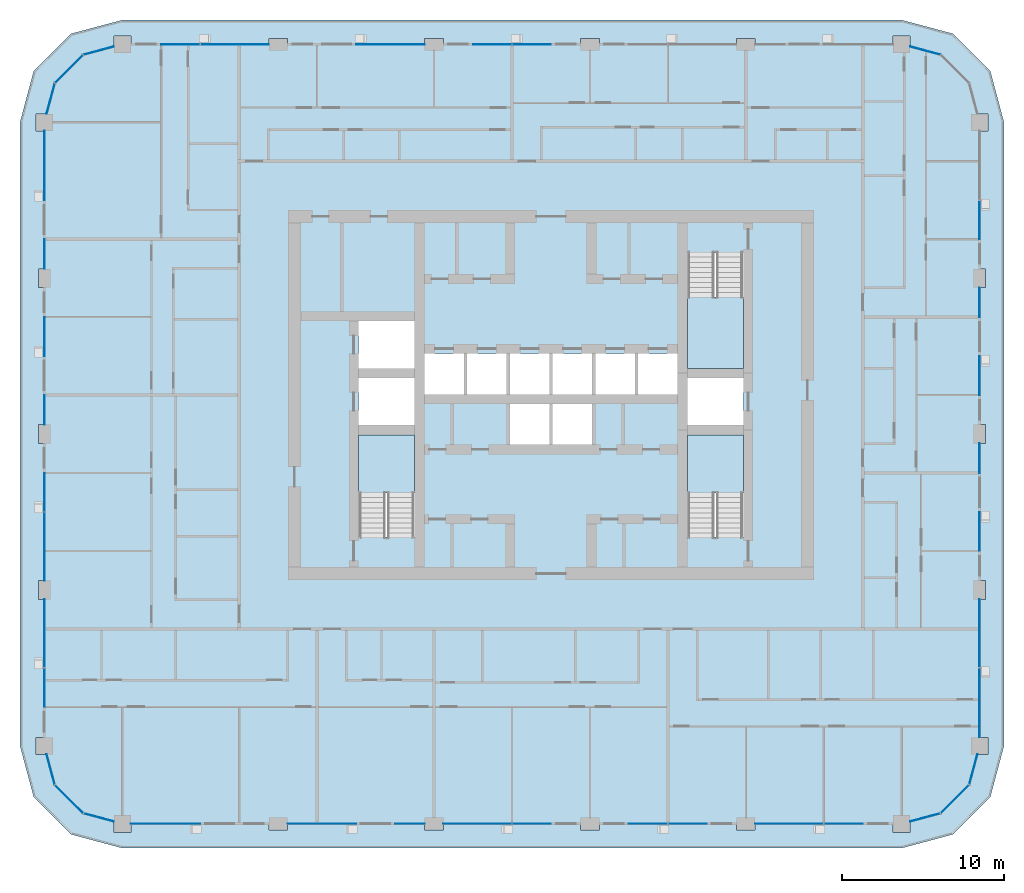
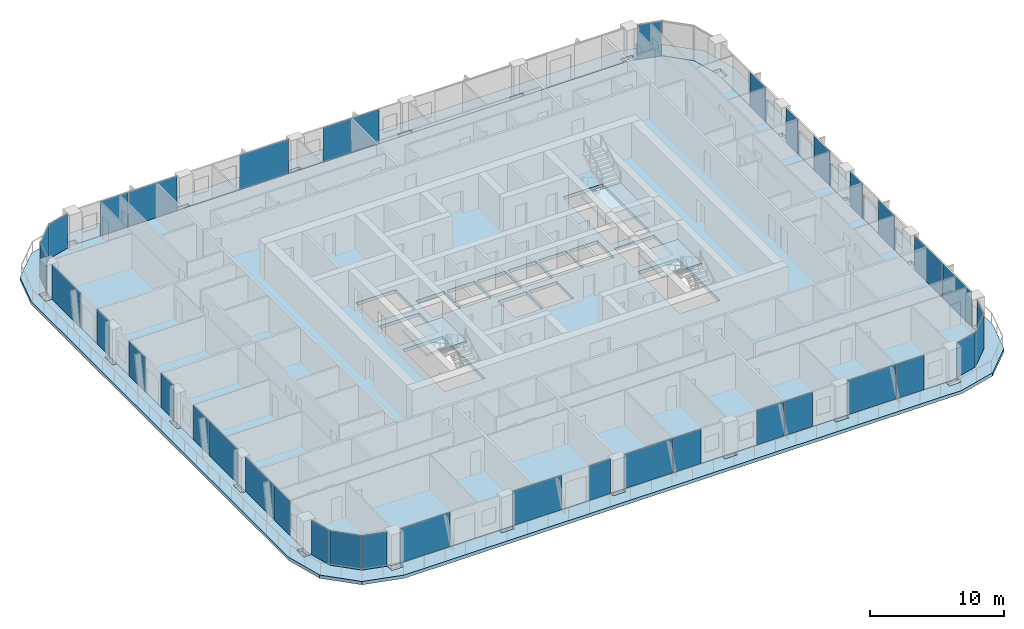
# One storey, part 7 of 22: 39 plates, 5 slabs, 23 elements without a shape of their own.
"""IFC4 building model written with IfcOpenShell, lengths in metres."""

from ifc_helpers import new_model, si_unit, direction, frame, origin, origin_2d, place, context, subcontext, project, spatial, polyline, rectangle, outline, extrude, material, layer, layer_set, type_object, element, aggregate, save


model = new_model("IFC4")

# Units and contexts
model_context = context("Model", 3, precision=1e-05, world=origin(), true_north=direction((0.0, 1.0)))
body_context = subcontext(model_context, "Body", "Model", "MODEL_VIEW")
ifc_project = project(units=[si_unit("LENGTHUNIT", "METRE"), si_unit("AREAUNIT", "SQUARE_METRE"), si_unit("VOLUMEUNIT", "CUBIC_METRE"), si_unit("PLANEANGLEUNIT", "RADIAN"), si_unit("MASSUNIT", "GRAM", prefix="KILO")], contexts=[model_context])

# Site, building, storey
site_placement = place(None, origin())
site = spatial("IfcSite", under=ifc_project, at=site_placement, CompositionType="ELEMENT")
building_placement = place(site_placement, origin())
building = spatial("IfcBuilding", under=site, at=building_placement, Name="Madar Terraces", CompositionType="ELEMENT")
storey_placement = place(building_placement, frame((0.0, 0.0, 166.5)))
storey = spatial("IfcBuildingStorey", under=building, at=storey_placement, Name="L43", CompositionType="ELEMENT", Elevation=166.5)

# Slabs
ifc_material_1 = material(Name="Concrete C50/60", Category="concrete")
ifc_layer_1 = layer(ifc_material_1, 0.300048828125)
ifc_layer_set_1 = layer_set([ifc_layer_1], Name="Balcony band 300")
slab_type_1 = type_object("IfcSlabType", Name="Balcony band 300", PredefinedType="FLOOR", material=ifc_layer_set_1)
slab_1_placement = place(storey_placement, frame((0.0, 0.0, -0.300048828125)))
element("IfcSlab", 1, at=slab_1_placement, inside=storey, type_object=slab_type_1, Name="Balcony band", PredefinedType="FLOOR", context=body_context, shape_type="SweptSolid", body=[
    extrude(outline(polyline([(4.800048828125, -1.5), (1.64990234375, -0.656005859375), (-0.656005859375, 1.64990234375), (-1.5, 4.800048828125), (-1.5, 43.199951171875), (-0.656005859375, 46.35009765625), (1.64990234375, 48.656005859375), (4.800048828125, 49.5), (52.800048828125, 49.5), (55.949951171875, 48.656005859375), (58.256103515625, 46.35009765625), (59.10009765625, 43.199951171875), (59.10009765625, 4.800048828125), (58.256103515625, 1.64990234375), (55.949951171875, -0.656005859375), (52.800048828125, -1.5), (4.800048828125, -1.5)]), holes=[polyline([(5.324951171875, -0.52490234375), (5.324951171875, 0.0), (13.824951171875, 0.0), (13.824951171875, -0.375), (14.97509765625, -0.375), (14.97509765625, 0.0), (23.425048828125, 0.0), (23.425048828125, -0.375), (24.574951171875, -0.375), (24.574951171875, 0.0), (33.02490234375, 0.0), (33.02490234375, -0.375), (34.175048828125, -0.375), (34.175048828125, 0.0), (42.625, 0.0), (42.625, -0.375), (43.77490234375, -0.375), (43.77490234375, 0.0), (52.27490234375, 0.0), (52.27490234375, -0.52490234375), (53.324951171875, -0.52490234375), (53.324951171875, 0.140625), (55.199951171875, 0.64306640625), (56.956787109375, 2.39990234375), (57.459228515625, 4.27490234375), (58.125, 4.27490234375), (58.125, 5.324951171875), (57.60009765625, 5.324951171875), (57.60009765625, 13.824951171875), (57.97509765625, 13.824951171875), (57.97509765625, 14.97509765625), (57.60009765625, 14.97509765625), (57.60009765625, 23.425048828125), (57.97509765625, 23.425048828125), (57.97509765625, 24.574951171875), (57.60009765625, 24.574951171875), (57.60009765625, 33.02490234375), (57.97509765625, 33.02490234375), (57.97509765625, 34.175048828125), (57.60009765625, 34.175048828125), (57.60009765625, 42.675048828125), (58.125, 42.675048828125), (58.125, 43.72509765625), (57.459228515625, 43.72509765625), (56.956787109375, 45.60009765625), (55.199951171875, 47.35693359375), (53.324951171875, 47.859375), (53.324951171875, 48.52490234375), (52.27490234375, 48.52490234375), (52.27490234375, 48.0), (43.77490234375, 48.0), (43.77490234375, 48.375), (42.625, 48.375), (42.625, 48.0), (34.175048828125, 48.0), (34.175048828125, 48.375), (33.02490234375, 48.375), (33.02490234375, 48.0), (24.574951171875, 48.0), (24.574951171875, 48.375), (23.425048828125, 48.375), (23.425048828125, 48.0), (14.97509765625, 48.0), (14.97509765625, 48.375), (13.824951171875, 48.375), (13.824951171875, 48.0), (5.324951171875, 48.0), (5.324951171875, 48.52490234375), (4.27490234375, 48.52490234375), (4.27490234375, 47.859375), (2.39990234375, 47.35693359375), (0.64306640625, 45.60009765625), (0.140625, 43.72509765625), (-0.52490234375, 43.72509765625), (-0.52490234375, 42.675048828125), (0.0, 42.675048828125), (0.0, 34.175048828125), (-0.375, 34.175048828125), (-0.375, 33.02490234375), (0.0, 33.02490234375), (0.0, 24.574951171875), (-0.375, 24.574951171875), (-0.375, 23.425048828125), (0.0, 23.425048828125), (0.0, 14.97509765625), (-0.375, 14.97509765625), (-0.375, 13.824951171875), (0.0, 13.824951171875), (0.0, 5.324951171875), (-0.52490234375, 5.324951171875), (-0.52490234375, 4.27490234375), (0.140625, 4.27490234375), (0.64306640625, 2.39990234375), (2.39990234375, 0.64306640625), (4.27490234375, 0.140625), (4.27490234375, -0.52490234375), (5.324951171875, -0.52490234375)])]), origin(), (0.0, 0.0, 1.0), 0.300048828125),
])
ifc_material_2 = material(Name="Concrete C50/60", Category="concrete")
ifc_layer_2 = layer(ifc_material_2, 0.300048828125)
ifc_layer_set_2 = layer_set([ifc_layer_2], Name="FS2 PT flat slab 300")
slab_type_2 = type_object("IfcSlabType", Name="FS2 PT flat slab 300", PredefinedType="FLOOR", material=ifc_layer_set_2)
slab_2_placement = place(storey_placement, frame((0.0, 0.0, -0.300048828125)))
element("IfcSlab", 2, at=slab_2_placement, inside=storey, type_object=slab_type_2, Name="Floor slab L43 (1)", PredefinedType="FLOOR", context=body_context, shape_type="SweptSolid", body=[
    extrude(outline(polyline([(52.800048828125, 0.0), (55.199951171875, 0.64306640625), (56.95703125, 2.39990234375), (57.60009765625, 4.800048828125), (57.60009765625, 43.199951171875), (56.95703125, 45.60009765625), (55.199951171875, 47.35693359375), (52.800048828125, 48.0), (4.800048828125, 48.0), (2.39990234375, 47.35693359375), (0.64306640625, 45.60009765625), (0.0, 43.199951171875), (0.0, 4.800048828125), (0.64306640625, 2.39990234375), (2.39990234375, 0.64306640625), (4.800048828125, 0.0), (52.800048828125, 0.0)]), holes=[polyline([(22.800048828125, 17.64990234375), (19.35009765625, 17.64990234375), (19.35009765625, 23.949951171875), (22.800048828125, 23.949951171875), (22.800048828125, 17.64990234375)]), polyline([(28.666748046875, 23.35009765625), (28.666748046875, 25.85009765625), (31.10009765625, 25.85009765625), (31.10009765625, 23.35009765625), (28.666748046875, 23.35009765625)]), polyline([(19.35009765625, 24.550048828125), (19.35009765625, 27.449951171875), (22.800048828125, 27.449951171875), (22.800048828125, 24.550048828125), (19.35009765625, 24.550048828125)]), polyline([(23.39990234375, 26.449951171875), (23.39990234375, 28.949951171875), (25.833251953125, 28.949951171875), (25.833251953125, 26.449951171875), (23.39990234375, 26.449951171875)]), polyline([(26.033447265625, 26.449951171875), (26.033447265625, 28.949951171875), (28.466552734375, 28.949951171875), (28.466552734375, 26.449951171875), (26.033447265625, 26.449951171875)]), polyline([(28.666748046875, 26.449951171875), (28.666748046875, 28.949951171875), (31.10009765625, 28.949951171875), (31.10009765625, 26.449951171875), (28.666748046875, 26.449951171875)]), polyline([(19.35009765625, 28.050048828125), (19.35009765625, 30.949951171875), (22.800048828125, 30.949951171875), (22.800048828125, 28.050048828125), (19.35009765625, 28.050048828125)]), polyline([(43.050048828125, 17.64990234375), (39.60009765625, 17.64990234375), (39.60009765625, 23.949951171875), (43.050048828125, 23.949951171875), (43.050048828125, 17.64990234375)]), polyline([(31.300048828125, 23.35009765625), (31.300048828125, 25.85009765625), (33.7333984375, 25.85009765625), (33.7333984375, 23.35009765625), (31.300048828125, 23.35009765625)]), polyline([(39.60009765625, 24.550048828125), (39.60009765625, 27.449951171875), (43.050048828125, 27.449951171875), (43.050048828125, 24.550048828125), (39.60009765625, 24.550048828125)]), polyline([(31.300048828125, 26.449951171875), (31.300048828125, 28.949951171875), (33.7333984375, 28.949951171875), (33.7333984375, 26.449951171875), (31.300048828125, 26.449951171875)]), polyline([(33.933349609375, 26.449951171875), (33.933349609375, 28.949951171875), (36.36669921875, 28.949951171875), (36.36669921875, 26.449951171875), (33.933349609375, 26.449951171875)]), polyline([(36.566650390625, 26.449951171875), (36.566650390625, 28.949951171875), (39.0, 28.949951171875), (39.0, 26.449951171875), (36.566650390625, 26.449951171875)]), polyline([(39.60009765625, 28.050048828125), (39.60009765625, 35.14990234375), (43.050048828125, 35.14990234375), (43.050048828125, 28.050048828125), (39.60009765625, 28.050048828125)])]), origin(), (0.0, 0.0, 1.0), 0.300048828125),
])

# Curtain wall, plate
ifc_material_3 = material(Name="Glass, ceramic frit dark grey, with black aluminium frame", Category="aluminium")
ifc_layer_3 = layer(ifc_material_3, 0.199951171875)
ifc_layer_set_3 = layer_set([ifc_layer_3], Name="Facade curtain wall, fritted glass")
curtain_wall_type = type_object("IfcCurtainWallType", Name="Facade curtain wall, fritted glass", PredefinedType="NOTDEFINED", material=ifc_layer_set_3)
curtain_wall_1_placement = place(storey_placement, origin())
curtain_wall_1 = element("IfcCurtainWall", 3, at=curtain_wall_1_placement, inside=storey, type_object=curtain_wall_type, Name="Outer skin curtain wall south bay 1", PredefinedType="NOTDEFINED")
ifc_material_4 = material(Name="Glass, ceramic frit dark grey", Category="glass")
ifc_layer_4 = layer(ifc_material_4, 0.028076171875)
ifc_layer_set_4 = layer_set([ifc_layer_4], Name="Facade glass panel 28")
plate_type = type_object("IfcPlateType", Name="Facade glass panel 28", PredefinedType="CURTAIN_PANEL", material=ifc_layer_set_4)
plate_1_placement = place(storey_placement, frame((7.46240234375, 0.0, 0.0), z_axis=(0.0, 0.0, 1.0), x_axis=(1.0, 0.0, 0.0)))
plate_1 = element("IfcPlate", 4, at=plate_1_placement, type_object=plate_type, Name="Panel 1", PredefinedType="CURTAIN_PANEL", context=body_context, shape_type="SweptSolid", body=[
    extrude(rectangle(XDim=4.27490234375, YDim=0.028076171875, at=origin_2d()), origin(), (0.0, 0.0, 1.0), 3.139892578125),
])
aggregate(curtain_wall_1, [plate_1])

# Curtain wall, plates
curtain_wall_2_placement = place(storey_placement, origin())
curtain_wall_2 = element("IfcCurtainWall", 5, at=curtain_wall_2_placement, inside=storey, type_object=curtain_wall_type, Name="Outer skin curtain wall south bay 2", PredefinedType="NOTDEFINED")
plate_2_placement = place(storey_placement, frame((17.08740234375, 0.0, 0.0), z_axis=(0.0, 0.0, 1.0), x_axis=(1.0, 0.0, 0.0)))
plate_2 = element("IfcPlate", 6, at=plate_2_placement, type_object=plate_type, Name="Panel 1", PredefinedType="CURTAIN_PANEL", context=body_context, shape_type="SweptSolid", body=[
    extrude(rectangle(XDim=4.22509765625, YDim=0.028076171875, at=origin_2d()), origin(), (0.0, 0.0, 1.0), 3.139892578125),
])
plate_3_placement = place(storey_placement, frame((22.512451171875, 0.0, 0.0), z_axis=(0.0, 0.0, 1.0), x_axis=(1.0, 0.0, 0.0)))
plate_3 = element("IfcPlate", 7, at=plate_3_placement, type_object=plate_type, Name="Panel 2", PredefinedType="CURTAIN_PANEL", context=body_context, shape_type="SweptSolid", body=[
    extrude(rectangle(XDim=1.824951171875, YDim=0.028076171875, at=origin_2d()), origin(), (0.0, 0.0, 1.0), 3.139892578125),
])
aggregate(curtain_wall_2, [plate_2, plate_3])

curtain_wall_3_placement = place(storey_placement, origin())
curtain_wall_3 = element("IfcCurtainWall", 8, at=curtain_wall_3_placement, inside=storey, type_object=curtain_wall_type, Name="Outer skin curtain wall south bay 3", PredefinedType="NOTDEFINED")
plate_4_placement = place(storey_placement, frame((26.672607421875, 0.0, 0.0), z_axis=(0.0, 0.0, 1.0), x_axis=(1.0, 0.0, 0.0)))
plate_4 = element("IfcPlate", 9, at=plate_4_placement, type_object=plate_type, Name="Panel 1", PredefinedType="CURTAIN_PANEL", context=body_context, shape_type="SweptSolid", body=[
    extrude(rectangle(XDim=4.195068359375, YDim=0.028076171875, at=origin_2d()), origin(), (0.0, 0.0, 1.0), 3.139892578125),
])
plate_5_placement = place(storey_placement, frame((30.014892578125, 0.0, 0.0), z_axis=(0.0, 0.0, 1.0), x_axis=(1.0, 0.0, 0.0)))
plate_5 = element("IfcPlate", 10, at=plate_5_placement, type_object=plate_type, Name="Panel 2", PredefinedType="CURTAIN_PANEL", context=body_context, shape_type="SweptSolid", body=[
    extrude(rectangle(XDim=2.3701171875, YDim=0.028076171875, at=origin_2d()), origin(), (0.0, 0.0, 1.0), 3.139892578125),
])
aggregate(curtain_wall_3, [plate_4, plate_5])

curtain_wall_4_placement = place(storey_placement, origin())
curtain_wall_4 = element("IfcCurtainWall", 11, at=curtain_wall_4_placement, inside=storey, type_object=curtain_wall_type, Name="Outer skin curtain wall south bay 4", PredefinedType="NOTDEFINED")
plate_6_placement = place(storey_placement, frame((37.18505859375, 0.0, 0.0), z_axis=(0.0, 0.0, 1.0), x_axis=(1.0, 0.0, 0.0)))
plate_6 = element("IfcPlate", 12, at=plate_6_placement, type_object=plate_type, Name="Panel 1", PredefinedType="CURTAIN_PANEL", context=body_context, shape_type="SweptSolid", body=[
    extrude(rectangle(XDim=2.3701171875, YDim=0.028076171875, at=origin_2d()), origin(), (0.0, 0.0, 1.0), 3.139892578125),
])
plate_7_placement = place(storey_placement, frame((39.614990234375, 0.0, 0.0), z_axis=(0.0, 0.0, 1.0), x_axis=(1.0, 0.0, 0.0)))
plate_7 = element("IfcPlate", 13, at=plate_7_placement, type_object=plate_type, Name="Panel 2", PredefinedType="CURTAIN_PANEL", context=body_context, shape_type="SweptSolid", body=[
    extrude(rectangle(XDim=2.3701171875, YDim=0.028076171875, at=origin_2d()), origin(), (0.0, 0.0, 1.0), 3.139892578125),
])
aggregate(curtain_wall_4, [plate_6, plate_7])

curtain_wall_5_placement = place(storey_placement, origin())
curtain_wall_5 = element("IfcCurtainWall", 14, at=curtain_wall_5_placement, inside=storey, type_object=curtain_wall_type, Name="Outer skin curtain wall south bay 5", PredefinedType="NOTDEFINED")
plate_8_placement = place(storey_placement, frame((45.87255859375, 0.0, 0.0), z_axis=(0.0, 0.0, 1.0), x_axis=(1.0, 0.0, 0.0)))
plate_8 = element("IfcPlate", 15, at=plate_8_placement, type_object=plate_type, Name="Panel 1", PredefinedType="CURTAIN_PANEL", context=body_context, shape_type="SweptSolid", body=[
    extrude(rectangle(XDim=4.195068359375, YDim=0.028076171875, at=origin_2d()), origin(), (0.0, 0.0, 1.0), 3.139892578125),
])
plate_9_placement = place(storey_placement, frame((49.215087890625, 0.0, 0.0), z_axis=(0.0, 0.0, 1.0), x_axis=(1.0, 0.0, 0.0)))
plate_9 = element("IfcPlate", 16, at=plate_9_placement, type_object=plate_type, Name="Panel 2", PredefinedType="CURTAIN_PANEL", context=body_context, shape_type="SweptSolid", body=[
    extrude(rectangle(XDim=2.3701171875, YDim=0.028076171875, at=origin_2d()), origin(), (0.0, 0.0, 1.0), 3.139892578125),
])
aggregate(curtain_wall_5, [plate_8, plate_9])

curtain_wall_6_placement = place(storey_placement, origin())
curtain_wall_6 = element("IfcCurtainWall", 17, at=curtain_wall_6_placement, inside=storey, type_object=curtain_wall_type, Name="Outer skin curtain wall east bay 1", PredefinedType="NOTDEFINED")
plate_10_placement = place(storey_placement, frame((57.60009765625, 7.447509765625, 0.0), z_axis=(0.0, 0.0, 1.0), x_axis=(0.0, 1.0, 0.0)))
plate_10 = element("IfcPlate", 18, at=plate_10_placement, type_object=plate_type, Name="Panel 1", PredefinedType="CURTAIN_PANEL", context=body_context, shape_type="SweptSolid", body=[
    extrude(rectangle(XDim=4.2451171875, YDim=0.028076171875, at=origin_2d()), origin(), (0.0, 0.0, 1.0), 3.139892578125),
])
plate_11_placement = place(storey_placement, frame((57.60009765625, 11.7275390625, 0.0), z_axis=(0.0, 0.0, 1.0), x_axis=(0.0, 1.0, 0.0)))
plate_11 = element("IfcPlate", 19, at=plate_11_placement, type_object=plate_type, Name="Panel 2", PredefinedType="CURTAIN_PANEL", context=body_context, shape_type="SweptSolid", body=[
    extrude(rectangle(XDim=4.195068359375, YDim=0.028076171875, at=origin_2d()), origin(), (0.0, 0.0, 1.0), 3.139892578125),
])
aggregate(curtain_wall_6, [plate_10, plate_11])

curtain_wall_7_placement = place(storey_placement, origin())
curtain_wall_7 = element("IfcCurtainWall", 20, at=curtain_wall_7_placement, inside=storey, type_object=curtain_wall_type, Name="Outer skin curtain wall east bay 2", PredefinedType="NOTDEFINED")
plate_12_placement = place(storey_placement, frame((57.60009765625, 18.0, 0.0), z_axis=(0.0, 0.0, 1.0), x_axis=(0.0, 1.0, 0.0)))
plate_12 = element("IfcPlate", 21, at=plate_12_placement, type_object=plate_type, Name="Panel 1", PredefinedType="CURTAIN_PANEL", context=body_context, shape_type="SweptSolid", body=[
    extrude(rectangle(XDim=2.39990234375, YDim=0.028076171875, at=origin_2d()), origin(), (0.0, 0.0, 1.0), 3.139892578125),
])
plate_13_placement = place(storey_placement, frame((57.60009765625, 22.512451171875, 0.0), z_axis=(0.0, 0.0, 1.0), x_axis=(0.0, 1.0, 0.0)))
plate_13 = element("IfcPlate", 22, at=plate_13_placement, type_object=plate_type, Name="Panel 2", PredefinedType="CURTAIN_PANEL", context=body_context, shape_type="SweptSolid", body=[
    extrude(rectangle(XDim=1.824951171875, YDim=0.028076171875, at=origin_2d()), origin(), (0.0, 0.0, 1.0), 3.139892578125),
])
aggregate(curtain_wall_7, [plate_12, plate_13])

curtain_wall_8_placement = place(storey_placement, origin())
curtain_wall_8 = element("IfcCurtainWall", 23, at=curtain_wall_8_placement, inside=storey, type_object=curtain_wall_type, Name="Outer skin curtain wall east bay 3", PredefinedType="NOTDEFINED")
plate_14_placement = place(storey_placement, frame((57.60009765625, 27.60009765625, 0.0), z_axis=(0.0, 0.0, 1.0), x_axis=(0.0, 1.0, 0.0)))
plate_14 = element("IfcPlate", 24, at=plate_14_placement, type_object=plate_type, Name="Panel 1", PredefinedType="CURTAIN_PANEL", context=body_context, shape_type="SweptSolid", body=[
    extrude(rectangle(XDim=2.39990234375, YDim=0.028076171875, at=origin_2d()), origin(), (0.0, 0.0, 1.0), 3.139892578125),
])
plate_15_placement = place(storey_placement, frame((57.60009765625, 32.112548828125, 0.0), z_axis=(0.0, 0.0, 1.0), x_axis=(0.0, 1.0, 0.0)))
plate_15 = element("IfcPlate", 25, at=plate_15_placement, type_object=plate_type, Name="Panel 2", PredefinedType="CURTAIN_PANEL", context=body_context, shape_type="SweptSolid", body=[
    extrude(rectangle(XDim=1.824951171875, YDim=0.028076171875, at=origin_2d()), origin(), (0.0, 0.0, 1.0), 3.139892578125),
])
aggregate(curtain_wall_8, [plate_14, plate_15])

# Curtain wall, plate
curtain_wall_9_placement = place(storey_placement, origin())
curtain_wall_9 = element("IfcCurtainWall", 26, at=curtain_wall_9_placement, inside=storey, type_object=curtain_wall_type, Name="Outer skin curtain wall east bay 4", PredefinedType="NOTDEFINED")
plate_16_placement = place(storey_placement, frame((57.60009765625, 37.18505859375, 0.0), z_axis=(0.0, 0.0, 1.0), x_axis=(0.0, 1.0, 0.0)))
plate_16 = element("IfcPlate", 27, at=plate_16_placement, type_object=plate_type, Name="Panel 1", PredefinedType="CURTAIN_PANEL", context=body_context, shape_type="SweptSolid", body=[
    extrude(rectangle(XDim=2.3701171875, YDim=0.028076171875, at=origin_2d()), origin(), (0.0, 0.0, 1.0), 3.139892578125),
])
aggregate(curtain_wall_9, [plate_16])

# Curtain wall, plates
curtain_wall_10_placement = place(storey_placement, origin())
curtain_wall_10 = element("IfcCurtainWall", 28, at=curtain_wall_10_placement, inside=storey, type_object=curtain_wall_type, Name="Outer skin curtain wall north bay 3", PredefinedType="NOTDEFINED")
plate_17_placement = place(storey_placement, frame((30.014892578125, 48.0, 0.0), z_axis=(0.0, 0.0, 1.0), x_axis=(-1.0, 0.0, 0.0)))
plate_17 = element("IfcPlate", 29, at=plate_17_placement, type_object=plate_type, Name="Panel 1", PredefinedType="CURTAIN_PANEL", context=body_context, shape_type="SweptSolid", body=[
    extrude(rectangle(XDim=2.3701171875, YDim=0.028076171875, at=origin_2d()), origin(), (0.0, 0.0, 1.0), 3.139892578125),
])
plate_18_placement = place(storey_placement, frame((27.5849609375, 48.0, 0.0), z_axis=(0.0, 0.0, 1.0), x_axis=(-1.0, 0.0, 0.0)))
plate_18 = element("IfcPlate", 30, at=plate_18_placement, type_object=plate_type, Name="Panel 2", PredefinedType="CURTAIN_PANEL", context=body_context, shape_type="SweptSolid", body=[
    extrude(rectangle(XDim=2.3701171875, YDim=0.028076171875, at=origin_2d()), origin(), (0.0, 0.0, 1.0), 3.139892578125),
])
aggregate(curtain_wall_10, [plate_17, plate_18])

# Curtain wall, plate
curtain_wall_11_placement = place(storey_placement, origin())
curtain_wall_11 = element("IfcCurtainWall", 31, at=curtain_wall_11_placement, inside=storey, type_object=curtain_wall_type, Name="Outer skin curtain wall north bay 4", PredefinedType="NOTDEFINED")
plate_19_placement = place(storey_placement, frame((21.3125, 48.0, 0.0), z_axis=(0.0, 0.0, 1.0), x_axis=(-1.0, 0.0, 0.0)))
plate_19 = element("IfcPlate", 32, at=plate_19_placement, type_object=plate_type, Name="Panel 1", PredefinedType="CURTAIN_PANEL", context=body_context, shape_type="SweptSolid", body=[
    extrude(rectangle(XDim=4.22509765625, YDim=0.028076171875, at=origin_2d()), origin(), (0.0, 0.0, 1.0), 3.139892578125),
])
aggregate(curtain_wall_11, [plate_19])

# Curtain wall, plates
curtain_wall_12_placement = place(storey_placement, origin())
curtain_wall_12 = element("IfcCurtainWall", 33, at=curtain_wall_12_placement, inside=storey, type_object=curtain_wall_type, Name="Outer skin curtain wall north bay 5", PredefinedType="NOTDEFINED")
plate_20_placement = place(storey_placement, frame((11.7275390625, 48.0, 0.0), z_axis=(0.0, 0.0, 1.0), x_axis=(-1.0, 0.0, 0.0)))
plate_20 = element("IfcPlate", 34, at=plate_20_placement, type_object=plate_type, Name="Panel 1", PredefinedType="CURTAIN_PANEL", context=body_context, shape_type="SweptSolid", body=[
    extrude(rectangle(XDim=4.195068359375, YDim=0.028076171875, at=origin_2d()), origin(), (0.0, 0.0, 1.0), 3.139892578125),
])
plate_21_placement = place(storey_placement, frame((8.385009765625, 48.0, 0.0), z_axis=(0.0, 0.0, 1.0), x_axis=(-1.0, 0.0, 0.0)))
plate_21 = element("IfcPlate", 35, at=plate_21_placement, type_object=plate_type, Name="Panel 2", PredefinedType="CURTAIN_PANEL", context=body_context, shape_type="SweptSolid", body=[
    extrude(rectangle(XDim=2.3701171875, YDim=0.028076171875, at=origin_2d()), origin(), (0.0, 0.0, 1.0), 3.139892578125),
])
aggregate(curtain_wall_12, [plate_20, plate_21])

curtain_wall_13_placement = place(storey_placement, origin())
curtain_wall_13 = element("IfcCurtainWall", 36, at=curtain_wall_13_placement, inside=storey, type_object=curtain_wall_type, Name="Outer skin curtain wall west bay 1", PredefinedType="NOTDEFINED")
plate_22_placement = place(storey_placement, frame((0.0, 40.53759765625, 0.0), z_axis=(0.0, 0.0, 1.0), x_axis=(0.0, -1.0, 0.0)))
plate_22 = element("IfcPlate", 37, at=plate_22_placement, type_object=plate_type, Name="Panel 1", PredefinedType="CURTAIN_PANEL", context=body_context, shape_type="SweptSolid", body=[
    extrude(rectangle(XDim=4.27490234375, YDim=0.028076171875, at=origin_2d()), origin(), (0.0, 0.0, 1.0), 3.139892578125),
])
plate_23_placement = place(storey_placement, frame((0.0, 35.08740234375, 0.0), z_axis=(0.0, 0.0, 1.0), x_axis=(0.0, -1.0, 0.0)))
plate_23 = element("IfcPlate", 38, at=plate_23_placement, type_object=plate_type, Name="Panel 2", PredefinedType="CURTAIN_PANEL", context=body_context, shape_type="SweptSolid", body=[
    extrude(rectangle(XDim=1.824951171875, YDim=0.028076171875, at=origin_2d()), origin(), (0.0, 0.0, 1.0), 3.139892578125),
])
aggregate(curtain_wall_13, [plate_22, plate_23])

curtain_wall_14_placement = place(storey_placement, origin())
curtain_wall_14 = element("IfcCurtainWall", 39, at=curtain_wall_14_placement, inside=storey, type_object=curtain_wall_type, Name="Outer skin curtain wall west bay 2", PredefinedType="NOTDEFINED")
plate_24_placement = place(storey_placement, frame((0.0, 30.0, 0.0), z_axis=(0.0, 0.0, 1.0), x_axis=(0.0, -1.0, 0.0)))
plate_24 = element("IfcPlate", 40, at=plate_24_placement, type_object=plate_type, Name="Panel 1", PredefinedType="CURTAIN_PANEL", context=body_context, shape_type="SweptSolid", body=[
    extrude(rectangle(XDim=2.39990234375, YDim=0.028076171875, at=origin_2d()), origin(), (0.0, 0.0, 1.0), 3.139892578125),
])
plate_25_placement = place(storey_placement, frame((0.0, 25.487548828125, 0.0), z_axis=(0.0, 0.0, 1.0), x_axis=(0.0, -1.0, 0.0)))
plate_25 = element("IfcPlate", 41, at=plate_25_placement, type_object=plate_type, Name="Panel 2", PredefinedType="CURTAIN_PANEL", context=body_context, shape_type="SweptSolid", body=[
    extrude(rectangle(XDim=1.824951171875, YDim=0.028076171875, at=origin_2d()), origin(), (0.0, 0.0, 1.0), 3.139892578125),
])
aggregate(curtain_wall_14, [plate_24, plate_25])

curtain_wall_15_placement = place(storey_placement, origin())
curtain_wall_15 = element("IfcCurtainWall", 42, at=curtain_wall_15_placement, inside=storey, type_object=curtain_wall_type, Name="Outer skin curtain wall west bay 3", PredefinedType="NOTDEFINED")
plate_26_placement = place(storey_placement, frame((0.0, 20.4150390625, 0.0), z_axis=(0.0, 0.0, 1.0), x_axis=(0.0, -1.0, 0.0)))
plate_26 = element("IfcPlate", 43, at=plate_26_placement, type_object=plate_type, Name="Panel 1", PredefinedType="CURTAIN_PANEL", context=body_context, shape_type="SweptSolid", body=[
    extrude(rectangle(XDim=2.3701171875, YDim=0.028076171875, at=origin_2d()), origin(), (0.0, 0.0, 1.0), 3.139892578125),
])
plate_27_placement = place(storey_placement, frame((0.0, 17.072509765625, 0.0), z_axis=(0.0, 0.0, 1.0), x_axis=(0.0, -1.0, 0.0)))
plate_27 = element("IfcPlate", 44, at=plate_27_placement, type_object=plate_type, Name="Panel 2", PredefinedType="CURTAIN_PANEL", context=body_context, shape_type="SweptSolid", body=[
    extrude(rectangle(XDim=4.195068359375, YDim=0.028076171875, at=origin_2d()), origin(), (0.0, 0.0, 1.0), 3.139892578125),
])
aggregate(curtain_wall_15, [plate_26, plate_27])

curtain_wall_16_placement = place(storey_placement, origin())
curtain_wall_16 = element("IfcCurtainWall", 45, at=curtain_wall_16_placement, inside=storey, type_object=curtain_wall_type, Name="Outer skin curtain wall west bay 4", PredefinedType="NOTDEFINED")
plate_28_placement = place(storey_placement, frame((0.0, 11.7275390625, 0.0), z_axis=(0.0, 0.0, 1.0), x_axis=(0.0, -1.0, 0.0)))
plate_28 = element("IfcPlate", 46, at=plate_28_placement, type_object=plate_type, Name="Panel 1", PredefinedType="CURTAIN_PANEL", context=body_context, shape_type="SweptSolid", body=[
    extrude(rectangle(XDim=4.195068359375, YDim=0.028076171875, at=origin_2d()), origin(), (0.0, 0.0, 1.0), 3.139892578125),
])
plate_29_placement = place(storey_placement, frame((0.0, 8.385009765625, 0.0), z_axis=(0.0, 0.0, 1.0), x_axis=(0.0, -1.0, 0.0)))
plate_29 = element("IfcPlate", 47, at=plate_29_placement, type_object=plate_type, Name="Panel 2", PredefinedType="CURTAIN_PANEL", context=body_context, shape_type="SweptSolid", body=[
    extrude(rectangle(XDim=2.3701171875, YDim=0.028076171875, at=origin_2d()), origin(), (0.0, 0.0, 1.0), 3.139892578125),
])
aggregate(curtain_wall_16, [plate_28, plate_29])

curtain_wall_17_placement = place(storey_placement, origin())
curtain_wall_17 = element("IfcCurtainWall", 48, at=curtain_wall_17_placement, inside=storey, type_object=curtain_wall_type, Name="Outer skin curtain wall south-east corner", PredefinedType="NOTDEFINED")
plate_30_placement = place(storey_placement, frame((54.248046875, 0.387939453125, 0.0), z_axis=(0.0, 0.0, 1.0), x_axis=(0.965925832509, 0.258819021888, 0.0)))
plate_30 = element("IfcPlate", 49, at=plate_30_placement, type_object=plate_type, Name="Panel 1", PredefinedType="CURTAIN_PANEL", context=body_context, shape_type="SweptSolid", body=[
    extrude(rectangle(XDim=1.9111328125, YDim=0.028076171875, at=origin_2d()), origin(), (0.0, 0.0, 1.0), 3.139892578125),
])
plate_31_placement = place(storey_placement, frame((56.078369140625, 1.521484375, 0.0), z_axis=(0.0, 0.0, 1.0), x_axis=(0.707106781187, 0.707106781187, 0.0)))
plate_31 = element("IfcPlate", 50, at=plate_31_placement, type_object=plate_type, Name="Panel 2", PredefinedType="CURTAIN_PANEL", context=body_context, shape_type="SweptSolid", body=[
    extrude(rectangle(XDim=2.424560546875, YDim=0.028076171875, at=origin_2d()), origin(), (0.0, 0.0, 1.0), 3.139892578125),
])
plate_32_placement = place(storey_placement, frame((57.2119140625, 3.35205078125, 0.0), z_axis=(0.0, 0.0, 1.0), x_axis=(0.258819021888, 0.965925832509, 0.0)))
plate_32 = element("IfcPlate", 51, at=plate_32_placement, type_object=plate_type, Name="Panel 3", PredefinedType="CURTAIN_PANEL", context=body_context, shape_type="SweptSolid", body=[
    extrude(rectangle(XDim=1.9111328125, YDim=0.028076171875, at=origin_2d()), origin(), (0.0, 0.0, 1.0), 3.139892578125),
])
aggregate(curtain_wall_17, [plate_30, plate_31, plate_32])

# Curtain wall, plate
curtain_wall_18_placement = place(storey_placement, origin())
curtain_wall_18 = element("IfcCurtainWall", 52, at=curtain_wall_18_placement, inside=storey, type_object=curtain_wall_type, Name="Outer skin curtain wall north-east corner", PredefinedType="NOTDEFINED")
plate_33_placement = place(storey_placement, frame((54.248046875, 47.612060546875, 0.0), z_axis=(0.0, 0.0, 1.0), x_axis=(-0.965925832509, 0.258819021888, 0.0)))
plate_33 = element("IfcPlate", 53, at=plate_33_placement, type_object=plate_type, Name="Panel 3", PredefinedType="CURTAIN_PANEL", context=body_context, shape_type="SweptSolid", body=[
    extrude(rectangle(XDim=1.9111328125, YDim=0.028076171875, at=origin_2d()), origin(), (0.0, 0.0, 1.0), 3.139892578125),
])
aggregate(curtain_wall_18, [plate_33])

# Curtain wall, plates
curtain_wall_19_placement = place(storey_placement, origin())
curtain_wall_19 = element("IfcCurtainWall", 54, at=curtain_wall_19_placement, inside=storey, type_object=curtain_wall_type, Name="Outer skin curtain wall north-west corner", PredefinedType="NOTDEFINED")
plate_34_placement = place(storey_placement, frame((3.35205078125, 47.612060546875, 0.0), z_axis=(0.0, 0.0, 1.0), x_axis=(-0.965925832509, -0.258819021888, 0.0)))
plate_34 = element("IfcPlate", 55, at=plate_34_placement, type_object=plate_type, Name="Panel 1", PredefinedType="CURTAIN_PANEL", context=body_context, shape_type="SweptSolid", body=[
    extrude(rectangle(XDim=1.9111328125, YDim=0.028076171875, at=origin_2d()), origin(), (0.0, 0.0, 1.0), 3.139892578125),
])
plate_35_placement = place(storey_placement, frame((1.521484375, 46.478515625, 0.0), z_axis=(0.0, 0.0, 1.0), x_axis=(-0.707106781187, -0.707106781187, 0.0)))
plate_35 = element("IfcPlate", 56, at=plate_35_placement, type_object=plate_type, Name="Panel 2", PredefinedType="CURTAIN_PANEL", context=body_context, shape_type="SweptSolid", body=[
    extrude(rectangle(XDim=2.424560546875, YDim=0.028076171875, at=origin_2d()), origin(), (0.0, 0.0, 1.0), 3.139892578125),
])
plate_36_placement = place(storey_placement, frame((0.387939453125, 44.64794921875, 0.0), z_axis=(0.0, 0.0, 1.0), x_axis=(-0.258819021888, -0.965925832509, 0.0)))
plate_36 = element("IfcPlate", 57, at=plate_36_placement, type_object=plate_type, Name="Panel 3", PredefinedType="CURTAIN_PANEL", context=body_context, shape_type="SweptSolid", body=[
    extrude(rectangle(XDim=1.9111328125, YDim=0.028076171875, at=origin_2d()), origin(), (0.0, 0.0, 1.0), 3.139892578125),
])
aggregate(curtain_wall_19, [plate_34, plate_35, plate_36])

curtain_wall_20_placement = place(storey_placement, origin())
curtain_wall_20 = element("IfcCurtainWall", 58, at=curtain_wall_20_placement, inside=storey, type_object=curtain_wall_type, Name="Outer skin curtain wall south-west corner", PredefinedType="NOTDEFINED")
plate_37_placement = place(storey_placement, frame((0.387939453125, 3.35205078125, 0.0), z_axis=(0.0, 0.0, 1.0), x_axis=(0.258819021888, -0.965925832509, 0.0)))
plate_37 = element("IfcPlate", 59, at=plate_37_placement, type_object=plate_type, Name="Panel 1", PredefinedType="CURTAIN_PANEL", context=body_context, shape_type="SweptSolid", body=[
    extrude(rectangle(XDim=1.9111328125, YDim=0.028076171875, at=origin_2d()), origin(), (0.0, 0.0, 1.0), 3.139892578125),
])
plate_38_placement = place(storey_placement, frame((1.521484375, 1.521484375, 0.0), z_axis=(0.0, 0.0, 1.0), x_axis=(0.707106781187, -0.707106781187, 0.0)))
plate_38 = element("IfcPlate", 60, at=plate_38_placement, type_object=plate_type, Name="Panel 2", PredefinedType="CURTAIN_PANEL", context=body_context, shape_type="SweptSolid", body=[
    extrude(rectangle(XDim=2.424560546875, YDim=0.028076171875, at=origin_2d()), origin(), (0.0, 0.0, 1.0), 3.139892578125),
])
plate_39_placement = place(storey_placement, frame((3.35205078125, 0.387939453125, 0.0), z_axis=(0.0, 0.0, 1.0), x_axis=(0.965925832509, -0.258819021888, 0.0)))
plate_39 = element("IfcPlate", 61, at=plate_39_placement, type_object=plate_type, Name="Panel 3", PredefinedType="CURTAIN_PANEL", context=body_context, shape_type="SweptSolid", body=[
    extrude(rectangle(XDim=1.9111328125, YDim=0.028076171875, at=origin_2d()), origin(), (0.0, 0.0, 1.0), 3.139892578125),
])
aggregate(curtain_wall_20, [plate_37, plate_38, plate_39])

# Stair, slab
ifc_material_5 = material(Name="Concrete C50/60", Category="concrete")
stair_type_1 = type_object("IfcStairType", Name="Stair ST1 protected exit", PredefinedType="HALF_TURN_STAIR", material=ifc_material_5)
stair_1_placement = place(storey_placement, origin())
stair_1 = element("IfcStair", 62, at=stair_1_placement, inside=storey, type_object=stair_type_1, Name="L43 Protected Exit Stair ST1", PredefinedType="HALF_TURN_STAIR")
ifc_material_6 = material(Name="Concrete C50/60", Category="concrete")
ifc_layer_5 = layer(ifc_material_6, 0.199951171875)
ifc_layer_set_5 = layer_set([ifc_layer_5], Name="Stair landing 200, top +1.75")
slab_type_3 = type_object("IfcSlabType", Name="Stair landing 200, top +1.75", PredefinedType="LANDING", material=ifc_layer_set_5)
slab_3_placement = place(storey_placement, frame((0.0, 0.0, 1.550048828125)))
slab_3 = element("IfcSlab", 63, at=slab_3_placement, type_object=slab_type_3, Name="ST1 landing 1", PredefinedType="LANDING", context=body_context, shape_type="SweptSolid", body=[
    extrude(outline(polyline([(19.35009765625, 20.360107421875), (22.800048828125, 20.360107421875), (22.800048828125, 23.949951171875), (19.35009765625, 23.949951171875), (19.35009765625, 20.360107421875)])), origin(), (0.0, 0.0, 1.0), 0.199951171875),
])
aggregate(stair_1, [slab_3])

ifc_material_7 = material(Name="Concrete C50/60", Category="concrete")
stair_type_2 = type_object("IfcStairType", Name="Stair ST2 protected exit", PredefinedType="HALF_TURN_STAIR", material=ifc_material_7)
stair_2_placement = place(storey_placement, origin())
stair_2 = element("IfcStair", 64, at=stair_2_placement, inside=storey, type_object=stair_type_2, Name="L43 Protected Exit Stair ST2", PredefinedType="HALF_TURN_STAIR")
slab_4_placement = place(storey_placement, frame((0.0, 0.0, 1.550048828125)))
slab_4 = element("IfcSlab", 65, at=slab_4_placement, type_object=slab_type_3, Name="ST2 landing 1", PredefinedType="LANDING", context=body_context, shape_type="SweptSolid", body=[
    extrude(outline(polyline([(39.60009765625, 28.050048828125), (43.050048828125, 28.050048828125), (43.050048828125, 32.43994140625), (39.60009765625, 32.43994140625), (39.60009765625, 28.050048828125)])), origin(), (0.0, 0.0, 1.0), 0.199951171875),
])
aggregate(stair_2, [slab_4])

ifc_material_8 = material(Name="Concrete C50/60", Category="concrete")
stair_type_3 = type_object("IfcStairType", Name="Stair ST3 protected exit", PredefinedType="HALF_TURN_STAIR", material=ifc_material_8)
stair_3_placement = place(storey_placement, origin())
stair_3 = element("IfcStair", 66, at=stair_3_placement, inside=storey, type_object=stair_type_3, Name="L43 Protected Exit Stair ST3", PredefinedType="HALF_TURN_STAIR")
slab_5_placement = place(storey_placement, frame((0.0, 0.0, 1.550048828125)))
slab_5 = element("IfcSlab", 67, at=slab_5_placement, type_object=slab_type_3, Name="ST3 landing 1", PredefinedType="LANDING", context=body_context, shape_type="SweptSolid", body=[
    extrude(outline(polyline([(39.60009765625, 20.360107421875), (43.050048828125, 20.360107421875), (43.050048828125, 23.949951171875), (39.60009765625, 23.949951171875), (39.60009765625, 20.360107421875)])), origin(), (0.0, 0.0, 1.0), 0.199951171875),
])
aggregate(stair_3, [slab_5])

save(model, "model.ifc")
